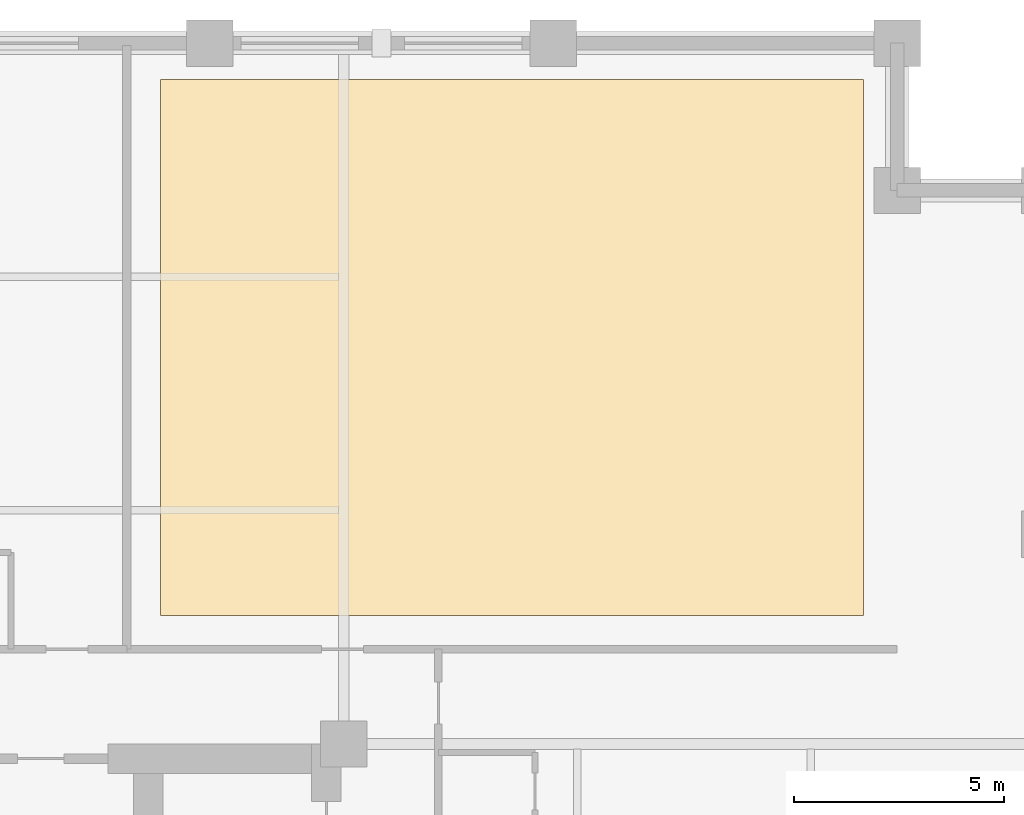
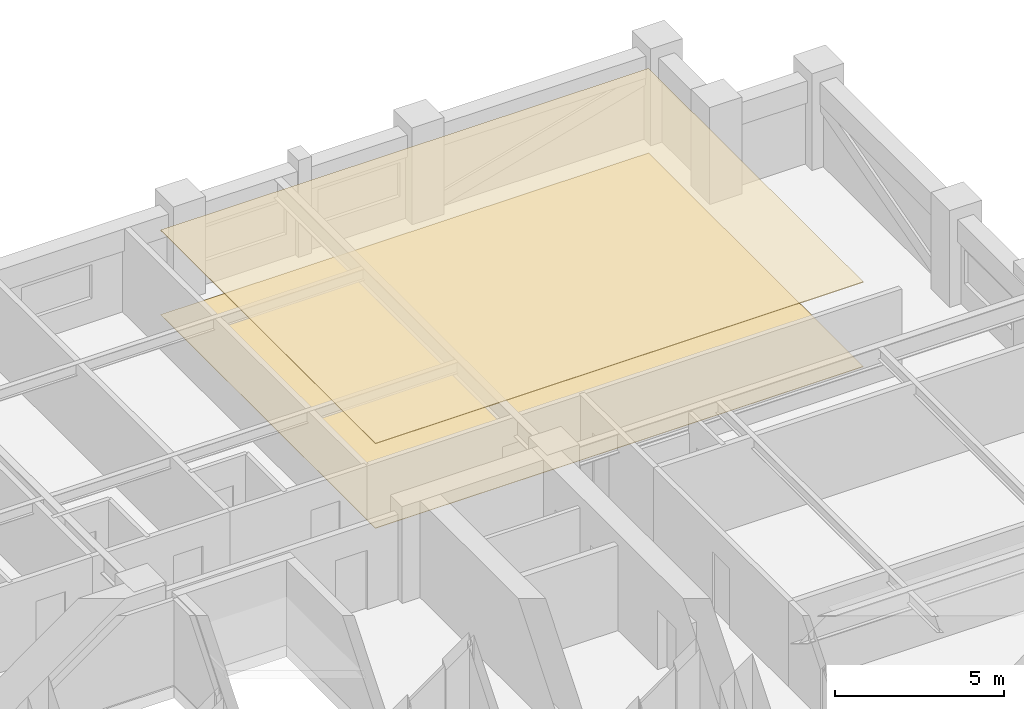
# One storey, part 12 of 12: 2 coverings.
"""IFC4 building model written with IfcOpenShell, lengths in metres."""

import ifcopenshell
import ifcopenshell.guid

model = None  # the IFC model being written
_history = None  # IfcOwnerHistory: only IFC2X3 demands one
_inside = {}  # id of a spatial element -> (the spatial element, [elements in it])
_under = {}  # id of a project, library or spatial element -> (it, [spatial elements below it])
_declared = {}  # id of a project -> (the project, [libraries it declares])
_typed = {}  # id of a type object -> (the type object, [elements of that type])
_made_of = {}  # id of a material, layer set ... -> (it, [elements and type objects made of it])


def new_model(schema):
    """Start an empty IFC model of exactly this schema.

    Asked for "IFC4X3", IfcOpenShell would pick the latest addendum, in which some entities
    have other attributes; the version numbers below select the first issue.
    IFC2X3 requires an IfcOwnerHistory on every rooted entity: one is made here for all.
    """
    global model, _history
    if schema == "IFC4X3":
        model = ifcopenshell.file(schema_version=(4, 3, 0, 0))
    else:
        model = ifcopenshell.file(schema=schema)
    _inside.clear()
    _under.clear()
    _declared.clear()
    _typed.clear()
    _made_of.clear()
    _history = None
    if model.schema == "IFC2X3":
        org = make("IfcOrganization", Name="unknown")
        user = make(
            "IfcPersonAndOrganization",
            ThePerson=make("IfcPerson", FamilyName="unknown"),
            TheOrganization=org,
        )
        app = make(
            "IfcApplication",
            ApplicationDeveloper=org,
            Version="unknown",
            ApplicationFullName="unknown",
            ApplicationIdentifier="unknown",
        )
        _history = make(
            "IfcOwnerHistory",
            OwningUser=user,
            OwningApplication=app,
            ChangeAction="ADDED",
            CreationDate=0,
        )
    return model


def make(cls, **values):
    """One entity of the class cls with the attributes given. An attribute that is None is left unset."""
    return model.create_entity(
        cls, **{name: value for name, value in values.items() if value is not None}
    )


def rooted(cls, **values):
    """An entity with a GlobalId (a new one), such as an element, a storey or a relation."""
    return make(cls, GlobalId=ifcopenshell.guid.new(), OwnerHistory=_history, **values)


def si_unit(unit_type, name, prefix=None):
    """IfcSIUnit, for example si_unit("LENGTHUNIT", "METRE", prefix="MILLI")."""
    return make("IfcSIUnit", UnitType=unit_type, Prefix=prefix, Name=name)


def assignment(units):
    """IfcUnitAssignment: the units of a project."""
    return None if units is None else make("IfcUnitAssignment", Units=units)


def point(xyz):
    """IfcCartesianPoint."""
    return None if xyz is None else make("IfcCartesianPoint", Coordinates=xyz)


def direction(xyz):
    """IfcDirection."""
    return None if xyz is None else make("IfcDirection", DirectionRatios=xyz)


def frame(location, z_axis=None, x_axis=None):
    """IfcAxis2Placement3D, a coordinate frame: its origin and axes. An axis left out is left unset."""
    return make(
        "IfcAxis2Placement3D",
        Location=point(location),
        Axis=direction(z_axis),
        RefDirection=direction(x_axis),
    )


def origin():
    """The frame at (0, 0, 0) with its axes left unset."""
    return frame((0.0, 0.0, 0.0))


def place(relative_to, where):
    """IfcLocalPlacement: puts the frame where relative to a parent placement (None: the world)."""
    return make(
        "IfcLocalPlacement", PlacementRelTo=relative_to, RelativePlacement=where
    )


def context(
    kind, dimensions, precision=None, world=None, true_north=None, identifier=None
):
    """IfcGeometricRepresentationContext, for example the 3D "Model" context."""
    return make(
        "IfcGeometricRepresentationContext",
        ContextIdentifier=identifier,
        ContextType=kind,
        CoordinateSpaceDimension=dimensions,
        Precision=precision,
        WorldCoordinateSystem=world,
        TrueNorth=true_north,
    )


def subcontext(parent, identifier, kind, view, scale=None):
    """IfcGeometricRepresentationSubContext, for example "Body" below "Model"."""
    return make(
        "IfcGeometricRepresentationSubContext",
        ContextIdentifier=identifier,
        ContextType=kind,
        ParentContext=parent,
        TargetScale=scale,
        TargetView=view,
    )


def project(units=None, contexts=None):
    """IfcProject with its units and contexts."""
    return rooted(
        "IfcProject",
        Name="project",
        RepresentationContexts=contexts,
        UnitsInContext=assignment(units),
    )


def spatial(cls, under=None, at=None, **own):
    """A site, building, storey or space (cls), placed at a placement, below another one or the project."""
    s = rooted(cls, ObjectPlacement=at, **own)
    if under is not None:
        _under.setdefault(under.id(), (under, []))[1].append(s)
    return s


def polyline(points):
    """IfcPolyline through the points."""
    return make("IfcPolyline", Points=[point(p) for p in points])


def outline(outer, holes=None, kind="AREA"):
    """IfcArbitraryClosedProfileDef: a profile drawn as a closed curve; with holes, ...WithVoids."""
    if holes is None:
        return make("IfcArbitraryClosedProfileDef", ProfileType=kind, OuterCurve=outer)
    return make(
        "IfcArbitraryProfileDefWithVoids",
        ProfileType=kind,
        OuterCurve=outer,
        InnerCurves=holes,
    )


def extrude(swept, where, along, depth):
    """IfcExtrudedAreaSolid: the profile swept, set in the frame where, extruded along a direction by depth."""
    return make(
        "IfcExtrudedAreaSolid",
        SweptArea=swept,
        Position=where,
        ExtrudedDirection=direction(along),
        Depth=depth,
    )


def shape(context_of_items, identifier, shape_type, items):
    """IfcShapeRepresentation: the items that make up one representation, for example the "Body"."""
    return make(
        "IfcShapeRepresentation",
        ContextOfItems=context_of_items,
        RepresentationIdentifier=identifier,
        RepresentationType=shape_type,
        Items=items,
    )


def material(Name=None, Category=None):
    """IfcMaterial."""
    return make("IfcMaterial", Name=Name, Category=Category)


def layer(
    of_material, thickness, ventilated=None, Name=None, Category=None, Priority=None
):
    """IfcMaterialLayer: one layer of a wall or slab, of a material (None: an air gap)."""
    return make(
        "IfcMaterialLayer",
        Material=of_material,
        LayerThickness=thickness,
        IsVentilated=ventilated,
        Name=Name,
        Category=Category,
        Priority=Priority,
    )


def layer_set(layers, Name=None):
    """IfcMaterialLayerSet."""
    return make("IfcMaterialLayerSet", MaterialLayers=layers, LayerSetName=Name)


def made_of(thing, what):
    """Note that an element or type object is made of a material, layer set ...; save() writes the relation."""
    if what is not None:
        _made_of.setdefault(what.id(), (what, []))[1].append(thing)
    return thing


def type_object(cls, material=None, **own):
    """A type object (cls), such as IfcWallType, which elements share."""
    return made_of(rooted(cls, **own), material)


def element(
    cls,
    number,
    at=None,
    inside=None,
    cuts=None,
    type_object=None,
    material=None,
    context=None,
    identifier="Body",
    shape_type=None,
    held_by="IfcProductDefinitionShape",
    body=None,
    shapes=None,
    **own,
):
    """One element of the class cls, such as IfcWall. Its Tag is "e" and its number.

    at: its placement. inside: the storey or other place that contains it. cuts: it is an
    opening in that element (IfcRelVoidsElement). A single representation is given by context,
    identifier, shape_type and body (its items); several are given by shapes. held_by: the class
    of the entity that holds the representations. save() writes the other relations.
    """
    e = rooted(cls, Tag="e%d" % number, ObjectPlacement=at, **own)
    if body is not None:
        shapes = [shape(context, identifier, shape_type, body)]
    if shapes is not None:
        e.Representation = make(held_by, Representations=shapes)
    if inside is not None:
        _inside.setdefault(inside.id(), (inside, []))[1].append(e)
    if cuts is not None:
        rooted(
            "IfcRelVoidsElement", RelatingBuildingElement=cuts, RelatedOpeningElement=e
        )
    if type_object is not None:
        _typed.setdefault(type_object.id(), (type_object, []))[1].append(e)
    return made_of(e, material)


def aggregate(whole, parts):
    """IfcRelAggregates: a whole, such as a stair, and the parts it consists of."""
    return rooted("IfcRelAggregates", RelatingObject=whole, RelatedObjects=parts)


def save(model, path):
    """Write the relations noted so far, then the file.

    IfcRelAggregates (storeys below a building ...), IfcRelContainedInSpatialStructure (elements
    in a storey), IfcRelDefinesByType, IfcRelAssociatesMaterial and IfcRelDeclares: one each for
    every whole, place, type object, material and project.
    """
    for whole, parts in _under.values():
        aggregate(whole, parts)
    for where, things in _inside.values():
        rooted(
            "IfcRelContainedInSpatialStructure",
            RelatedElements=things,
            RelatingStructure=where,
        )
    for kind, things in _typed.values():
        rooted("IfcRelDefinesByType", RelatedObjects=things, RelatingType=kind)
    for what, things in _made_of.values():
        rooted("IfcRelAssociatesMaterial", RelatedObjects=things, RelatingMaterial=what)
    for by, libraries in _declared.values():
        rooted("IfcRelDeclares", RelatingContext=by, RelatedDefinitions=libraries)
    model.write(path)


model = new_model("IFC4")

# Units and contexts
model_context = context("Model", 3, precision=1e-05, world=origin(), true_north=direction((0.0, 1.0)))
body_context = subcontext(model_context, "Body", "Model", "MODEL_VIEW")
ifc_project = project(units=[si_unit("LENGTHUNIT", "METRE"), si_unit("AREAUNIT", "SQUARE_METRE"), si_unit("VOLUMEUNIT", "CUBIC_METRE"), si_unit("PLANEANGLEUNIT", "RADIAN"), si_unit("MASSUNIT", "GRAM", prefix="KILO")], contexts=[model_context])

# Site, building, storey
site_placement = place(None, origin())
site = spatial("IfcSite", under=ifc_project, at=site_placement, CompositionType="ELEMENT")
building_placement = place(site_placement, origin())
building = spatial("IfcBuilding", under=site, at=building_placement, Name="Nhamokura Convention Tower", CompositionType="ELEMENT")
storey_placement = place(building_placement, frame((0.0, 0.0, 38.85009765625)))
storey = spatial("IfcBuildingStorey", under=building, at=storey_placement, Name="L07", CompositionType="ELEMENT", Elevation=38.85009765625)

# Coverings
ifc_material_1 = material(Name="Mineral-fibre acoustic ceiling tile", Category="gypsum")
ifc_layer_1 = layer(ifc_material_1, 0.02490234375)
ifc_layer_set_1 = layer_set([ifc_layer_1], Name="AcousticTileCeiling_25")
covering_type_1 = type_object("IfcCoveringType", Name="AcousticTileCeiling_25", PredefinedType="CEILING", material=ifc_layer_set_1)
covering_1_placement = place(storey_placement, frame((0.0, 0.0, 3.054931640625)))
element("IfcCovering", 1, at=covering_1_placement, inside=storey, type_object=covering_type_1, Name="L07 Suspended Ceiling 04", PredefinedType="CEILING", context=body_context, shape_type="SweptSolid", body=[
    extrude(outline(polyline([(39.0, 46.39990234375), (55.699951171875, 46.39990234375), (55.699951171875, 59.139892578125), (39.0, 59.139892578125), (39.0, 46.39990234375)])), origin(), (0.0, 0.0, 1.0), 0.02490234375),
])
ifc_material_2 = material(Name="Acoustic woven hospitality carpet", Category="wood")
ifc_layer_2 = layer(ifc_material_2, 0.014892578125)
ifc_layer_set_2 = layer_set([ifc_layer_2], Name="WovenCarpetFlooring_15")
covering_type_2 = type_object("IfcCoveringType", Name="WovenCarpetFlooring_15", PredefinedType="FLOORING", material=ifc_layer_set_2)
covering_2_placement = place(storey_placement, origin())
element("IfcCovering", 2, at=covering_2_placement, inside=storey, type_object=covering_type_2, Name="L07 Finish Flooring 04", PredefinedType="FLOORING", context=body_context, shape_type="SweptSolid", body=[
    extrude(outline(polyline([(39.0, 46.39990234375), (55.699951171875, 46.39990234375), (55.699951171875, 59.139892578125), (39.0, 59.139892578125), (39.0, 46.39990234375)])), origin(), (0.0, 0.0, 1.0), 0.014892578125),
])

save(model, "model.ifc")
